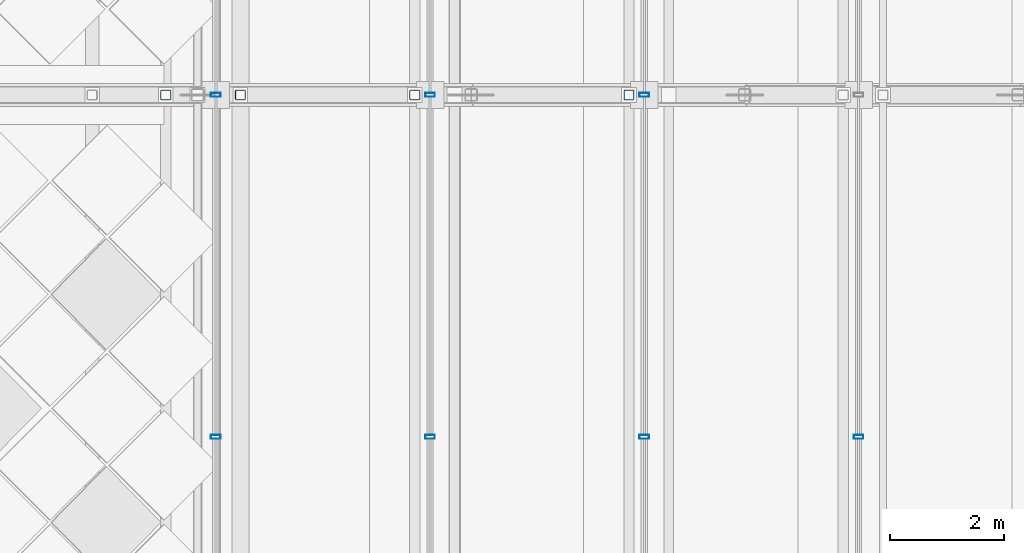
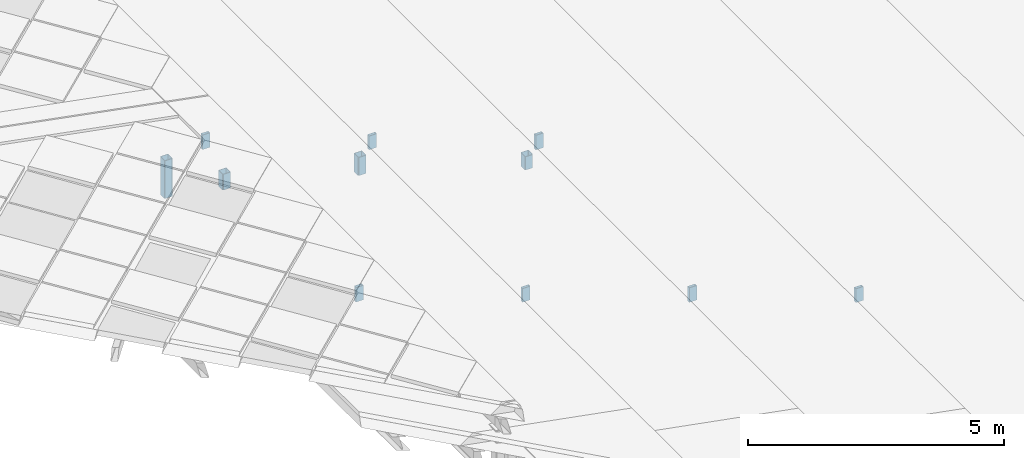
# One storey, part 69 of 117: 11 members, 4 elements without a shape of their own.
"""IFC4 building model written with IfcOpenShell, lengths in metres."""

import ifcopenshell
import ifcopenshell.guid

model = None  # the IFC model being written
_history = None  # IfcOwnerHistory: only IFC2X3 demands one
_inside = {}  # id of a spatial element -> (the spatial element, [elements in it])
_under = {}  # id of a project, library or spatial element -> (it, [spatial elements below it])
_declared = {}  # id of a project -> (the project, [libraries it declares])
_typed = {}  # id of a type object -> (the type object, [elements of that type])
_made_of = {}  # id of a material, layer set ... -> (it, [elements and type objects made of it])


def new_model(schema):
    """Start an empty IFC model of exactly this schema.

    Asked for "IFC4X3", IfcOpenShell would pick the latest addendum, in which some entities
    have other attributes; the version numbers below select the first issue.
    IFC2X3 requires an IfcOwnerHistory on every rooted entity: one is made here for all.
    """
    global model, _history
    if schema == "IFC4X3":
        model = ifcopenshell.file(schema_version=(4, 3, 0, 0))
    else:
        model = ifcopenshell.file(schema=schema)
    _inside.clear()
    _under.clear()
    _declared.clear()
    _typed.clear()
    _made_of.clear()
    _history = None
    if model.schema == "IFC2X3":
        org = make("IfcOrganization", Name="unknown")
        user = make(
            "IfcPersonAndOrganization",
            ThePerson=make("IfcPerson", FamilyName="unknown"),
            TheOrganization=org,
        )
        app = make(
            "IfcApplication",
            ApplicationDeveloper=org,
            Version="unknown",
            ApplicationFullName="unknown",
            ApplicationIdentifier="unknown",
        )
        _history = make(
            "IfcOwnerHistory",
            OwningUser=user,
            OwningApplication=app,
            ChangeAction="ADDED",
            CreationDate=0,
        )
    return model


def make(cls, **values):
    """One entity of the class cls with the attributes given. An attribute that is None is left unset."""
    return model.create_entity(
        cls, **{name: value for name, value in values.items() if value is not None}
    )


def rooted(cls, **values):
    """An entity with a GlobalId (a new one), such as an element, a storey or a relation."""
    return make(cls, GlobalId=ifcopenshell.guid.new(), OwnerHistory=_history, **values)


def si_unit(unit_type, name, prefix=None):
    """IfcSIUnit, for example si_unit("LENGTHUNIT", "METRE", prefix="MILLI")."""
    return make("IfcSIUnit", UnitType=unit_type, Prefix=prefix, Name=name)


def assignment(units):
    """IfcUnitAssignment: the units of a project."""
    return None if units is None else make("IfcUnitAssignment", Units=units)


def point(xyz):
    """IfcCartesianPoint."""
    return None if xyz is None else make("IfcCartesianPoint", Coordinates=xyz)


def direction(xyz):
    """IfcDirection."""
    return None if xyz is None else make("IfcDirection", DirectionRatios=xyz)


def frame(location, z_axis=None, x_axis=None):
    """IfcAxis2Placement3D, a coordinate frame: its origin and axes. An axis left out is left unset."""
    return make(
        "IfcAxis2Placement3D",
        Location=point(location),
        Axis=direction(z_axis),
        RefDirection=direction(x_axis),
    )


def frame_2d(location, x_axis=None):
    """IfcAxis2Placement2D, a coordinate frame in the plane: its origin and x axis."""
    return make(
        "IfcAxis2Placement2D", Location=point(location), RefDirection=direction(x_axis)
    )


def origin():
    """The frame at (0, 0, 0) with its axes left unset."""
    return frame((0.0, 0.0, 0.0))


def origin_2d():
    """The frame at (0, 0) in the plane with its x axis left unset."""
    return frame_2d((0.0, 0.0))


def place(relative_to, where):
    """IfcLocalPlacement: puts the frame where relative to a parent placement (None: the world)."""
    return make(
        "IfcLocalPlacement", PlacementRelTo=relative_to, RelativePlacement=where
    )


def context(
    kind, dimensions, precision=None, world=None, true_north=None, identifier=None
):
    """IfcGeometricRepresentationContext, for example the 3D "Model" context."""
    return make(
        "IfcGeometricRepresentationContext",
        ContextIdentifier=identifier,
        ContextType=kind,
        CoordinateSpaceDimension=dimensions,
        Precision=precision,
        WorldCoordinateSystem=world,
        TrueNorth=true_north,
    )


def subcontext(parent, identifier, kind, view, scale=None):
    """IfcGeometricRepresentationSubContext, for example "Body" below "Model"."""
    return make(
        "IfcGeometricRepresentationSubContext",
        ContextIdentifier=identifier,
        ContextType=kind,
        ParentContext=parent,
        TargetScale=scale,
        TargetView=view,
    )


def project(units=None, contexts=None):
    """IfcProject with its units and contexts."""
    return rooted(
        "IfcProject",
        Name="project",
        RepresentationContexts=contexts,
        UnitsInContext=assignment(units),
    )


def spatial(cls, under=None, at=None, **own):
    """A site, building, storey or space (cls), placed at a placement, below another one or the project."""
    s = rooted(cls, ObjectPlacement=at, **own)
    if under is not None:
        _under.setdefault(under.id(), (under, []))[1].append(s)
    return s


def profile(cls, at=None, kind="AREA", **sizes):
    """A parametric profile (cls). Its sizes go by their IFC names, for example OverallWidth=200.0."""
    return make(cls, ProfileType=kind, Position=at, **sizes)


def hollow_rectangle(**sizes):
    """IfcRectangleHollowProfileDef."""
    return profile("IfcRectangleHollowProfileDef", **sizes)


def extrude(swept, where, along, depth):
    """IfcExtrudedAreaSolid: the profile swept, set in the frame where, extruded along a direction by depth."""
    return make(
        "IfcExtrudedAreaSolid",
        SweptArea=swept,
        Position=where,
        ExtrudedDirection=direction(along),
        Depth=depth,
    )


def shape(context_of_items, identifier, shape_type, items):
    """IfcShapeRepresentation: the items that make up one representation, for example the "Body"."""
    return make(
        "IfcShapeRepresentation",
        ContextOfItems=context_of_items,
        RepresentationIdentifier=identifier,
        RepresentationType=shape_type,
        Items=items,
    )


def material(Name=None, Category=None):
    """IfcMaterial."""
    return make("IfcMaterial", Name=Name, Category=Category)


def material_profile(
    of_material, cross_section, Name=None, Category=None, Priority=None
):
    """IfcMaterialProfile: a cross section and its material."""
    return make(
        "IfcMaterialProfile",
        Name=Name,
        Material=of_material,
        Profile=cross_section,
        Priority=Priority,
        Category=Category,
    )


def profile_set(profiles, Name=None, composite=None):
    """IfcMaterialProfileSet."""
    return make(
        "IfcMaterialProfileSet",
        Name=Name,
        MaterialProfiles=profiles,
        CompositeProfile=composite,
    )


def made_of(thing, what):
    """Note that an element or type object is made of a material, layer set ...; save() writes the relation."""
    if what is not None:
        _made_of.setdefault(what.id(), (what, []))[1].append(thing)
    return thing


def type_object(cls, material=None, **own):
    """A type object (cls), such as IfcWallType, which elements share."""
    return made_of(rooted(cls, **own), material)


def element(
    cls,
    number,
    at=None,
    inside=None,
    cuts=None,
    type_object=None,
    material=None,
    context=None,
    identifier="Body",
    shape_type=None,
    held_by="IfcProductDefinitionShape",
    body=None,
    shapes=None,
    **own,
):
    """One element of the class cls, such as IfcWall. Its Tag is "e" and its number.

    at: its placement. inside: the storey or other place that contains it. cuts: it is an
    opening in that element (IfcRelVoidsElement). A single representation is given by context,
    identifier, shape_type and body (its items); several are given by shapes. held_by: the class
    of the entity that holds the representations. save() writes the other relations.
    """
    e = rooted(cls, Tag="e%d" % number, ObjectPlacement=at, **own)
    if body is not None:
        shapes = [shape(context, identifier, shape_type, body)]
    if shapes is not None:
        e.Representation = make(held_by, Representations=shapes)
    if inside is not None:
        _inside.setdefault(inside.id(), (inside, []))[1].append(e)
    if cuts is not None:
        rooted(
            "IfcRelVoidsElement", RelatingBuildingElement=cuts, RelatedOpeningElement=e
        )
    if type_object is not None:
        _typed.setdefault(type_object.id(), (type_object, []))[1].append(e)
    return made_of(e, material)


def aggregate(whole, parts):
    """IfcRelAggregates: a whole, such as a stair, and the parts it consists of."""
    return rooted("IfcRelAggregates", RelatingObject=whole, RelatedObjects=parts)


def save(model, path):
    """Write the relations noted so far, then the file.

    IfcRelAggregates (storeys below a building ...), IfcRelContainedInSpatialStructure (elements
    in a storey), IfcRelDefinesByType, IfcRelAssociatesMaterial and IfcRelDeclares: one each for
    every whole, place, type object, material and project.
    """
    for whole, parts in _under.values():
        aggregate(whole, parts)
    for where, things in _inside.values():
        rooted(
            "IfcRelContainedInSpatialStructure",
            RelatedElements=things,
            RelatingStructure=where,
        )
    for kind, things in _typed.values():
        rooted("IfcRelDefinesByType", RelatedObjects=things, RelatingType=kind)
    for what, things in _made_of.values():
        rooted("IfcRelAssociatesMaterial", RelatedObjects=things, RelatingMaterial=what)
    for by, libraries in _declared.values():
        rooted("IfcRelDeclares", RelatingContext=by, RelatedDefinitions=libraries)
    model.write(path)


model = new_model("IFC4")

# Units and contexts
model_context = context("Model", 3, precision=1e-05, world=origin(), true_north=direction((0.0, 1.0)))
body_context = subcontext(model_context, "Body", "Model", "MODEL_VIEW")
ifc_project = project(units=[si_unit("LENGTHUNIT", "METRE"), si_unit("AREAUNIT", "SQUARE_METRE"), si_unit("VOLUMEUNIT", "CUBIC_METRE"), si_unit("PLANEANGLEUNIT", "RADIAN"), si_unit("MASSUNIT", "GRAM", prefix="KILO")], contexts=[model_context])

# Site, building, storey
site_placement = place(None, origin())
site = spatial("IfcSite", under=ifc_project, at=site_placement, CompositionType="ELEMENT")
building_placement = place(site_placement, origin())
building = spatial("IfcBuilding", under=site, at=building_placement, Name="Merenkruunu Market Hall", CompositionType="ELEMENT")
storey_placement = place(building_placement, frame((0.0, 0.0, 22.800048828125)))
storey = spatial("IfcBuildingStorey", under=building, at=storey_placement, Name="RF", CompositionType="ELEMENT", Elevation=22.800048828125)

# Curtain wall, member
ifc_material_1 = material(Name="Powder-coated aluminium", Category="aluminium")
curtain_wall_type = type_object("IfcCurtainWallType", Name="Clerestory Curtain Band CL05", PredefinedType="USERDEFINED", material=ifc_material_1)
curtain_wall_1_placement = place(storey_placement, origin())
curtain_wall_1 = element("IfcCurtainWall", 1, at=curtain_wall_1_placement, inside=storey, type_object=curtain_wall_type, Name="CW-RF-CWM04-094", ObjectType="CLERESTORY_BAND", PredefinedType="USERDEFINED")
ifc_material_profile_1 = material_profile(ifc_material_1, hollow_rectangle(XDim=0.070068359375, YDim=0.169921875, WallThickness=0.0048828125, at=origin_2d()), Name="ALU 70x170x5")
ifc_profile_set_1 = profile_set([ifc_material_profile_1], Name="Powder-coated aluminium")
member_type_1 = type_object("IfcMemberType", Name="Curtain Wall Mullion CWM04", PredefinedType="MULLION", material=ifc_profile_set_1)
member_1_placement = place(storey_placement, frame((50.0, 69.60009765625, -5.2021484375), z_axis=(0.0, 0.0, 1.0), x_axis=(0.0, -1.0, 0.0)))
member_1 = element("IfcMember", 2, at=member_1_placement, type_object=member_type_1, Name="CL05 mullion 4", PredefinedType="MULLION", context=body_context, shape_type="SweptSolid", body=[
    extrude(hollow_rectangle(XDim=0.070068359375, YDim=0.169921875, WallThickness=0.0048828125, at=origin_2d()), origin(), (0.0, 0.0, 1.0), 0.3271484375),
])
aggregate(curtain_wall_1, [member_1])

# Curtain wall, members
curtain_wall_2_placement = place(storey_placement, origin())
curtain_wall_2 = element("IfcCurtainWall", 3, at=curtain_wall_2_placement, inside=storey, type_object=curtain_wall_type, Name="CW-RF-CWM04-102", ObjectType="CLERESTORY_BAND", PredefinedType="USERDEFINED")
member_2_placement = place(storey_placement, frame((46.239990234375, 75.60009765625, -3.882080078125), z_axis=(0.0, 0.0, 1.0), x_axis=(0.0, -1.0, 0.0)))
member_2 = element("IfcMember", 4, at=member_2_placement, type_object=member_type_1, Name="CL05 mullion 3", PredefinedType="MULLION", context=body_context, shape_type="SweptSolid", body=[
    extrude(hollow_rectangle(XDim=0.070068359375, YDim=0.169921875, WallThickness=0.0048828125, at=origin_2d()), origin(), (0.0, 0.0, 1.0), 0.34814453125),
])
member_3_placement = place(storey_placement, frame((46.239990234375, 69.60009765625, -3.882080078125), z_axis=(0.0, 0.0, 1.0), x_axis=(0.0, -1.0, 0.0)))
member_3 = element("IfcMember", 5, at=member_3_placement, type_object=member_type_1, Name="CL05 mullion 4", PredefinedType="MULLION", context=body_context, shape_type="SweptSolid", body=[
    extrude(hollow_rectangle(XDim=0.070068359375, YDim=0.169921875, WallThickness=0.0048828125, at=origin_2d()), origin(), (0.0, 0.0, 1.0), 0.34814453125),
])
aggregate(curtain_wall_2, [member_2, member_3])

curtain_wall_3_placement = place(storey_placement, origin())
curtain_wall_3 = element("IfcCurtainWall", 6, at=curtain_wall_3_placement, inside=storey, type_object=curtain_wall_type, Name="CW-RF-CWM04-110", ObjectType="CLERESTORY_BAND", PredefinedType="USERDEFINED")
member_4_placement = place(storey_placement, frame((42.47998046875, 75.60009765625, -2.56201171875), z_axis=(0.0, 0.0, 1.0), x_axis=(0.0, -1.0, 0.0)))
member_4 = element("IfcMember", 7, at=member_4_placement, type_object=member_type_1, Name="CL05 mullion 3", PredefinedType="MULLION", context=body_context, shape_type="SweptSolid", body=[
    extrude(hollow_rectangle(XDim=0.070068359375, YDim=0.169921875, WallThickness=0.0048828125, at=origin_2d()), origin(), (0.0, 0.0, 1.0), 0.326904296875),
])
member_5_placement = place(storey_placement, frame((42.47998046875, 69.60009765625, -2.56201171875), z_axis=(0.0, 0.0, 1.0), x_axis=(0.0, -1.0, 0.0)))
member_5 = element("IfcMember", 8, at=member_5_placement, type_object=member_type_1, Name="CL05 mullion 4", PredefinedType="MULLION", context=body_context, shape_type="SweptSolid", body=[
    extrude(hollow_rectangle(XDim=0.070068359375, YDim=0.169921875, WallThickness=0.0048828125, at=origin_2d()), origin(), (0.0, 0.0, 1.0), 0.326904296875),
])
aggregate(curtain_wall_3, [member_4, member_5])

curtain_wall_4_placement = place(storey_placement, origin())
curtain_wall_4 = element("IfcCurtainWall", 9, at=curtain_wall_4_placement, inside=storey, type_object=curtain_wall_type, Name="CW-RF-CWM04-118", ObjectType="CLERESTORY_BAND", PredefinedType="USERDEFINED")
member_6_placement = place(storey_placement, frame((38.719970703125, 75.60009765625, -1.241943359375), z_axis=(0.0, 0.0, 1.0), x_axis=(0.0, -1.0, 0.0)))
member_6 = element("IfcMember", 10, at=member_6_placement, type_object=member_type_1, Name="CL05 mullion 3", PredefinedType="MULLION", context=body_context, shape_type="SweptSolid", body=[
    extrude(hollow_rectangle(XDim=0.070068359375, YDim=0.169921875, WallThickness=0.0048828125, at=origin_2d()), origin(), (0.0, 0.0, 1.0), 0.347900390625),
])
member_7_placement = place(storey_placement, frame((38.719970703125, 69.60009765625, -1.241943359375), z_axis=(0.0, 0.0, 1.0), x_axis=(0.0, -1.0, 0.0)))
member_7 = element("IfcMember", 11, at=member_7_placement, type_object=member_type_1, Name="CL05 mullion 4", PredefinedType="MULLION", context=body_context, shape_type="SweptSolid", body=[
    extrude(hollow_rectangle(XDim=0.070068359375, YDim=0.169921875, WallThickness=0.0048828125, at=origin_2d()), origin(), (0.0, 0.0, 1.0), 0.347900390625),
])
aggregate(curtain_wall_4, [member_6, member_7])

# Members
ifc_material_2 = material(Name="Steel S355J2", Category="steel")
ifc_material_profile_2 = material_profile(ifc_material_2, hollow_rectangle(XDim=0.179931640625, YDim=0.179931640625, WallThickness=0.010009765625, InnerFilletRadius=0.010009765625, OuterFilletRadius=0.02001953125, at=origin_2d()), Name="SHS 180x180x10")
ifc_profile_set_2 = profile_set([ifc_material_profile_2], Name="Steel S355J2")
member_type_2 = type_object("IfcMemberType", Name="Diagonal Sway Brace BR05", PredefinedType="BRACE", material=ifc_profile_set_2)
member_8_placement = place(storey_placement, frame((45.969970703125, 75.60009765625, -4.23583984375), z_axis=(0.0, 0.0, 1.0), x_axis=(1.0, 0.0, 0.0)))
element("IfcMember", 12, at=member_8_placement, inside=storey, type_object=member_type_2, Name="TRUSS-AT-6-RISER-E4-1", PredefinedType="BRACE", context=body_context, shape_type="SweptSolid", body=[
    extrude(hollow_rectangle(XDim=0.179931640625, YDim=0.179931640625, WallThickness=0.010009765625, InnerFilletRadius=0.010009765625, OuterFilletRadius=0.02001953125, at=origin_2d()), origin(), (0.0, 0.0, 1.0), 0.31787109375),
])
member_9_placement = place(storey_placement, frame((42.2099609375, 75.60009765625, -3.053955078125), z_axis=(0.0, 0.0, 1.0), x_axis=(1.0, 0.0, 0.0)))
element("IfcMember", 13, at=member_9_placement, inside=storey, type_object=member_type_2, Name="TRUSS-AT-6-RISER-E5-1", PredefinedType="BRACE", context=body_context, shape_type="SweptSolid", body=[
    extrude(hollow_rectangle(XDim=0.179931640625, YDim=0.179931640625, WallThickness=0.010009765625, InnerFilletRadius=0.010009765625, OuterFilletRadius=0.02001953125, at=origin_2d()), origin(), (0.0, 0.0, 1.0), 0.435546875),
])
member_10_placement = place(storey_placement, frame((39.14990234375, 75.60009765625, -2.326904296875), z_axis=(0.0, 0.0, 1.0), x_axis=(1.0, 0.0, 0.0)))
element("IfcMember", 14, at=member_10_placement, inside=storey, type_object=member_type_2, Name="TRUSS-AT-6-RISER-E5-2", PredefinedType="BRACE", context=body_context, shape_type="SweptSolid", body=[
    extrude(hollow_rectangle(XDim=0.179931640625, YDim=0.179931640625, WallThickness=0.010009765625, InnerFilletRadius=0.010009765625, OuterFilletRadius=0.02001953125, at=origin_2d()), origin(), (0.0, 0.0, 1.0), 0.37451171875),
])
member_11_placement = place(storey_placement, frame((37.840087890625, 75.60009765625, -2.07080078125), z_axis=(0.0, 0.0, 1.0), x_axis=(1.0, 0.0, 0.0)))
element("IfcMember", 15, at=member_11_placement, inside=storey, type_object=member_type_2, Name="TRUSS-AT-6-RISER-E6-1", PredefinedType="BRACE", context=body_context, shape_type="SweptSolid", body=[
    extrude(hollow_rectangle(XDim=0.179931640625, YDim=0.179931640625, WallThickness=0.010009765625, InnerFilletRadius=0.010009765625, OuterFilletRadius=0.02001953125, at=origin_2d()), origin(), (0.0, 0.0, 1.0), 0.90576171875),
])

save(model, "model.ifc")
